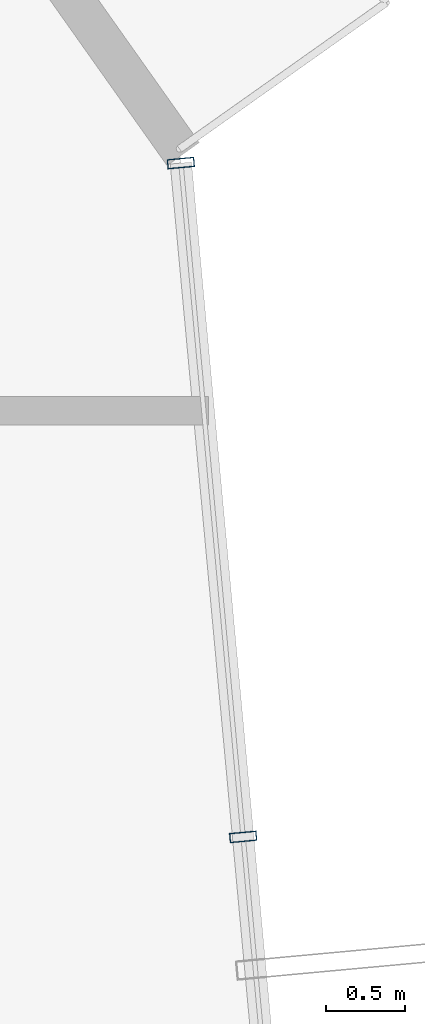
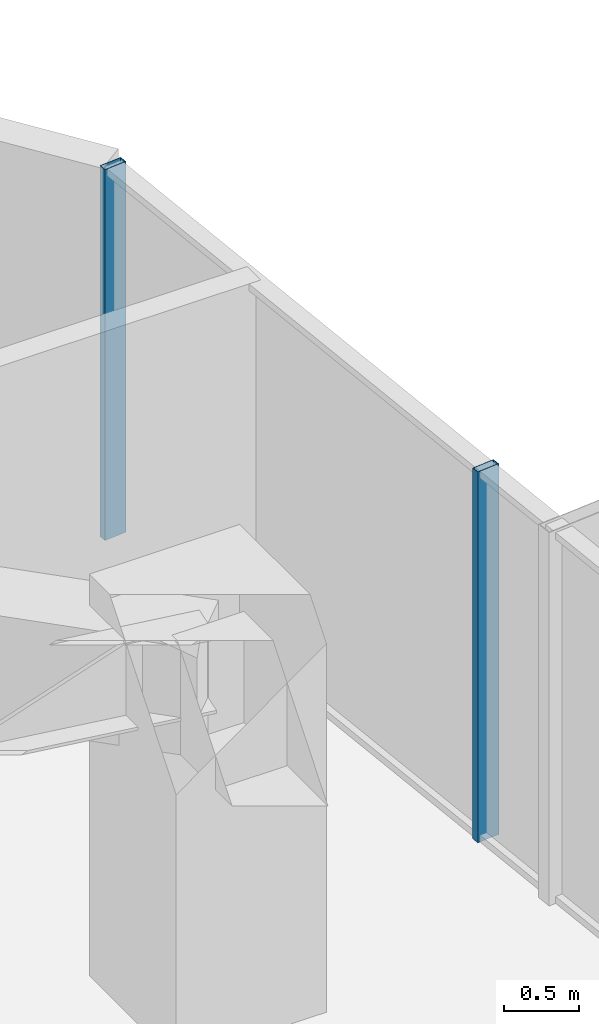
# One storey, part 18 of 33: 2 members, 1 element without a shape of its own.
"""IFC4 building model written with IfcOpenShell, lengths in metres."""

import ifcopenshell
import ifcopenshell.guid

model = None  # the IFC model being written
_history = None  # IfcOwnerHistory: only IFC2X3 demands one
_inside = {}  # id of a spatial element -> (the spatial element, [elements in it])
_under = {}  # id of a project, library or spatial element -> (it, [spatial elements below it])
_declared = {}  # id of a project -> (the project, [libraries it declares])
_typed = {}  # id of a type object -> (the type object, [elements of that type])
_made_of = {}  # id of a material, layer set ... -> (it, [elements and type objects made of it])


def new_model(schema):
    """Start an empty IFC model of exactly this schema.

    Asked for "IFC4X3", IfcOpenShell would pick the latest addendum, in which some entities
    have other attributes; the version numbers below select the first issue.
    IFC2X3 requires an IfcOwnerHistory on every rooted entity: one is made here for all.
    """
    global model, _history
    if schema == "IFC4X3":
        model = ifcopenshell.file(schema_version=(4, 3, 0, 0))
    else:
        model = ifcopenshell.file(schema=schema)
    _inside.clear()
    _under.clear()
    _declared.clear()
    _typed.clear()
    _made_of.clear()
    _history = None
    if model.schema == "IFC2X3":
        org = make("IfcOrganization", Name="unknown")
        user = make(
            "IfcPersonAndOrganization",
            ThePerson=make("IfcPerson", FamilyName="unknown"),
            TheOrganization=org,
        )
        app = make(
            "IfcApplication",
            ApplicationDeveloper=org,
            Version="unknown",
            ApplicationFullName="unknown",
            ApplicationIdentifier="unknown",
        )
        _history = make(
            "IfcOwnerHistory",
            OwningUser=user,
            OwningApplication=app,
            ChangeAction="ADDED",
            CreationDate=0,
        )
    return model


def make(cls, **values):
    """One entity of the class cls with the attributes given. An attribute that is None is left unset."""
    return model.create_entity(
        cls, **{name: value for name, value in values.items() if value is not None}
    )


def rooted(cls, **values):
    """An entity with a GlobalId (a new one), such as an element, a storey or a relation."""
    return make(cls, GlobalId=ifcopenshell.guid.new(), OwnerHistory=_history, **values)


def si_unit(unit_type, name, prefix=None):
    """IfcSIUnit, for example si_unit("LENGTHUNIT", "METRE", prefix="MILLI")."""
    return make("IfcSIUnit", UnitType=unit_type, Prefix=prefix, Name=name)


def assignment(units):
    """IfcUnitAssignment: the units of a project."""
    return None if units is None else make("IfcUnitAssignment", Units=units)


def point(xyz):
    """IfcCartesianPoint."""
    return None if xyz is None else make("IfcCartesianPoint", Coordinates=xyz)


def direction(xyz):
    """IfcDirection."""
    return None if xyz is None else make("IfcDirection", DirectionRatios=xyz)


def frame(location, z_axis=None, x_axis=None):
    """IfcAxis2Placement3D, a coordinate frame: its origin and axes. An axis left out is left unset."""
    return make(
        "IfcAxis2Placement3D",
        Location=point(location),
        Axis=direction(z_axis),
        RefDirection=direction(x_axis),
    )


def frame_2d(location, x_axis=None):
    """IfcAxis2Placement2D, a coordinate frame in the plane: its origin and x axis."""
    return make(
        "IfcAxis2Placement2D", Location=point(location), RefDirection=direction(x_axis)
    )


def origin():
    """The frame at (0, 0, 0) with its axes left unset."""
    return frame((0.0, 0.0, 0.0))


def origin_2d():
    """The frame at (0, 0) in the plane with its x axis left unset."""
    return frame_2d((0.0, 0.0))


def place(relative_to, where):
    """IfcLocalPlacement: puts the frame where relative to a parent placement (None: the world)."""
    return make(
        "IfcLocalPlacement", PlacementRelTo=relative_to, RelativePlacement=where
    )


def context(
    kind, dimensions, precision=None, world=None, true_north=None, identifier=None
):
    """IfcGeometricRepresentationContext, for example the 3D "Model" context."""
    return make(
        "IfcGeometricRepresentationContext",
        ContextIdentifier=identifier,
        ContextType=kind,
        CoordinateSpaceDimension=dimensions,
        Precision=precision,
        WorldCoordinateSystem=world,
        TrueNorth=true_north,
    )


def subcontext(parent, identifier, kind, view, scale=None):
    """IfcGeometricRepresentationSubContext, for example "Body" below "Model"."""
    return make(
        "IfcGeometricRepresentationSubContext",
        ContextIdentifier=identifier,
        ContextType=kind,
        ParentContext=parent,
        TargetScale=scale,
        TargetView=view,
    )


def project(units=None, contexts=None):
    """IfcProject with its units and contexts."""
    return rooted(
        "IfcProject",
        Name="project",
        RepresentationContexts=contexts,
        UnitsInContext=assignment(units),
    )


def spatial(cls, under=None, at=None, **own):
    """A site, building, storey or space (cls), placed at a placement, below another one or the project."""
    s = rooted(cls, ObjectPlacement=at, **own)
    if under is not None:
        _under.setdefault(under.id(), (under, []))[1].append(s)
    return s


def profile(cls, at=None, kind="AREA", **sizes):
    """A parametric profile (cls). Its sizes go by their IFC names, for example OverallWidth=200.0."""
    return make(cls, ProfileType=kind, Position=at, **sizes)


def hollow_rectangle(**sizes):
    """IfcRectangleHollowProfileDef."""
    return profile("IfcRectangleHollowProfileDef", **sizes)


def extrude(swept, where, along, depth):
    """IfcExtrudedAreaSolid: the profile swept, set in the frame where, extruded along a direction by depth."""
    return make(
        "IfcExtrudedAreaSolid",
        SweptArea=swept,
        Position=where,
        ExtrudedDirection=direction(along),
        Depth=depth,
    )


def shape(context_of_items, identifier, shape_type, items):
    """IfcShapeRepresentation: the items that make up one representation, for example the "Body"."""
    return make(
        "IfcShapeRepresentation",
        ContextOfItems=context_of_items,
        RepresentationIdentifier=identifier,
        RepresentationType=shape_type,
        Items=items,
    )


def source(mapping_origin, context_of_items, identifier, shape_type, items):
    """IfcRepresentationMap: a shape defined once, which mapped items show again and again."""
    return make(
        "IfcRepresentationMap",
        MappingOrigin=mapping_origin,
        MappedRepresentation=shape(context_of_items, identifier, shape_type, items),
    )


def transform(
    local_origin,
    x_axis=None,
    y_axis=None,
    z_axis=None,
    scale=None,
    scale2=None,
    scale3=None,
    uniform=True,
):
    """IfcCartesianTransformationOperator3D, or its non-uniform kind. x_axis, y_axis, z_axis: its Axis1, 2, 3."""
    if uniform:
        return make(
            "IfcCartesianTransformationOperator3D",
            Axis1=direction(x_axis),
            Axis2=direction(y_axis),
            LocalOrigin=point(local_origin),
            Scale=scale,
            Axis3=direction(z_axis),
        )
    return make(
        "IfcCartesianTransformationOperator3DnonUniform",
        Axis1=direction(x_axis),
        Axis2=direction(y_axis),
        LocalOrigin=point(local_origin),
        Scale=scale,
        Axis3=direction(z_axis),
        Scale2=scale2,
        Scale3=scale3,
    )


def mapped(mapping_source, mapping_target):
    """IfcMappedItem: shows the shape of a source again, moved by a transform."""
    return make(
        "IfcMappedItem", MappingSource=mapping_source, MappingTarget=mapping_target
    )


def material(Name=None, Category=None):
    """IfcMaterial."""
    return make("IfcMaterial", Name=Name, Category=Category)


def layer(
    of_material, thickness, ventilated=None, Name=None, Category=None, Priority=None
):
    """IfcMaterialLayer: one layer of a wall or slab, of a material (None: an air gap)."""
    return make(
        "IfcMaterialLayer",
        Material=of_material,
        LayerThickness=thickness,
        IsVentilated=ventilated,
        Name=Name,
        Category=Category,
        Priority=Priority,
    )


def layer_set(layers, Name=None):
    """IfcMaterialLayerSet."""
    return make("IfcMaterialLayerSet", MaterialLayers=layers, LayerSetName=Name)


def material_profile(
    of_material, cross_section, Name=None, Category=None, Priority=None
):
    """IfcMaterialProfile: a cross section and its material."""
    return make(
        "IfcMaterialProfile",
        Name=Name,
        Material=of_material,
        Profile=cross_section,
        Priority=Priority,
        Category=Category,
    )


def profile_set(profiles, Name=None, composite=None):
    """IfcMaterialProfileSet."""
    return make(
        "IfcMaterialProfileSet",
        Name=Name,
        MaterialProfiles=profiles,
        CompositeProfile=composite,
    )


def made_of(thing, what):
    """Note that an element or type object is made of a material, layer set ...; save() writes the relation."""
    if what is not None:
        _made_of.setdefault(what.id(), (what, []))[1].append(thing)
    return thing


def type_object(cls, material=None, **own):
    """A type object (cls), such as IfcWallType, which elements share."""
    return made_of(rooted(cls, **own), material)


def element(
    cls,
    number,
    at=None,
    inside=None,
    cuts=None,
    type_object=None,
    material=None,
    context=None,
    identifier="Body",
    shape_type=None,
    held_by="IfcProductDefinitionShape",
    body=None,
    shapes=None,
    **own,
):
    """One element of the class cls, such as IfcWall. Its Tag is "e" and its number.

    at: its placement. inside: the storey or other place that contains it. cuts: it is an
    opening in that element (IfcRelVoidsElement). A single representation is given by context,
    identifier, shape_type and body (its items); several are given by shapes. held_by: the class
    of the entity that holds the representations. save() writes the other relations.
    """
    e = rooted(cls, Tag="e%d" % number, ObjectPlacement=at, **own)
    if body is not None:
        shapes = [shape(context, identifier, shape_type, body)]
    if shapes is not None:
        e.Representation = make(held_by, Representations=shapes)
    if inside is not None:
        _inside.setdefault(inside.id(), (inside, []))[1].append(e)
    if cuts is not None:
        rooted(
            "IfcRelVoidsElement", RelatingBuildingElement=cuts, RelatedOpeningElement=e
        )
    if type_object is not None:
        _typed.setdefault(type_object.id(), (type_object, []))[1].append(e)
    return made_of(e, material)


def aggregate(whole, parts):
    """IfcRelAggregates: a whole, such as a stair, and the parts it consists of."""
    return rooted("IfcRelAggregates", RelatingObject=whole, RelatedObjects=parts)


def save(model, path):
    """Write the relations noted so far, then the file.

    IfcRelAggregates (storeys below a building ...), IfcRelContainedInSpatialStructure (elements
    in a storey), IfcRelDefinesByType, IfcRelAssociatesMaterial and IfcRelDeclares: one each for
    every whole, place, type object, material and project.
    """
    for whole, parts in _under.values():
        aggregate(whole, parts)
    for where, things in _inside.values():
        rooted(
            "IfcRelContainedInSpatialStructure",
            RelatedElements=things,
            RelatingStructure=where,
        )
    for kind, things in _typed.values():
        rooted("IfcRelDefinesByType", RelatedObjects=things, RelatingType=kind)
    for what, things in _made_of.values():
        rooted("IfcRelAssociatesMaterial", RelatedObjects=things, RelatingMaterial=what)
    for by, libraries in _declared.values():
        rooted("IfcRelDeclares", RelatingContext=by, RelatedDefinitions=libraries)
    model.write(path)


model = new_model("IFC4")

# Units and contexts
model_context = context("Model", 3, precision=1e-05, world=origin(), true_north=direction((0.0, 1.0)))
body_context = subcontext(model_context, "Body", "Model", "MODEL_VIEW")
ifc_project = project(units=[si_unit("LENGTHUNIT", "METRE"), si_unit("AREAUNIT", "SQUARE_METRE"), si_unit("VOLUMEUNIT", "CUBIC_METRE"), si_unit("PLANEANGLEUNIT", "RADIAN"), si_unit("MASSUNIT", "GRAM", prefix="KILO")], contexts=[model_context])

# Site, building, storey
site_placement = place(None, origin())
site = spatial("IfcSite", under=ifc_project, at=site_placement, CompositionType="ELEMENT")
building_placement = place(site_placement, origin())
building = spatial("IfcBuilding", under=site, at=building_placement, Name="Veraguas Prism Commons", CompositionType="ELEMENT")
storey_placement = place(building_placement, frame((0.0, 0.0, 145.75)))
storey = spatial("IfcBuildingStorey", under=building, at=storey_placement, Name="L41", CompositionType="ELEMENT", Elevation=145.75)

# Curtain wall, members
ifc_material = material(Name="Anodised aluminium EN AW-6063 T6", Category="aluminium")
ifc_layer = layer(ifc_material, 0.169921875, Name="Unitised Flush Curtain Wall Zone 2", Category="aluminium")
ifc_layer_set = layer_set([ifc_layer], Name="Anodised aluminium EN AW-6063 T6")
curtain_wall_type = type_object("IfcCurtainWallType", Name="Unitised Flush Curtain Wall Zone 2", PredefinedType="NOTDEFINED", material=ifc_layer_set)
curtain_wall_placement = place(storey_placement, origin())
curtain_wall = element("IfcCurtainWall", 1, at=curtain_wall_placement, inside=storey, type_object=curtain_wall_type, Name="Tower Facade Curtain Wall L41-F6", PredefinedType="NOTDEFINED")
ifc_material_profile = material_profile(ifc_material, hollow_rectangle(XDim=0.06005859375, YDim=0.169921875, WallThickness=0.00390625, at=origin_2d()), Name="AL60X170X4")
ifc_profile_set = profile_set([ifc_material_profile], Name="Anodised aluminium EN AW-6063 T6")
member_type = type_object("IfcMemberType", Name="Curtain Wall Mullion Lower AL 60x170x4", PredefinedType="MULLION", material=ifc_profile_set)
shared_shape = source(origin(), body_context, "Body", "SweptSolid", [
    extrude(hollow_rectangle(XDim=0.06005859375, YDim=0.169921875, WallThickness=0.00390625, at=origin_2d()), origin(), (0.0, 0.0, 1.0), 3.0),
])
member_1_placement = place(storey_placement, frame((42.70458984375, 30.0556640625, 0.0), z_axis=(0.0, 0.0, 1.0), x_axis=(-0.092024746261, 0.995756720327, 0.0)))
member_1 = element("IfcMember", 2, at=member_1_placement, type_object=member_type, Name="CW-Z2 Mullion 4", PredefinedType="MULLION", context=body_context, shape_type="MappedRepresentation", body=[
    mapped(shared_shape, transform((0.0, 0.0, 0.0), scale=1.0)),
])
member_2_placement = place(storey_placement, frame((42.310791015625, 34.31591796875, 0.0), z_axis=(0.0, 0.0, 1.0), x_axis=(-0.092024746261, 0.995756720327, 0.0)))
member_2 = element("IfcMember", 3, at=member_2_placement, type_object=member_type, Name="CW-Z2 Mullion 5", PredefinedType="MULLION", context=body_context, shape_type="MappedRepresentation", body=[
    mapped(shared_shape, transform((0.0, 0.0, 0.0), scale=1.0)),
])
aggregate(curtain_wall, [member_1, member_2])

save(model, "model.ifc")
